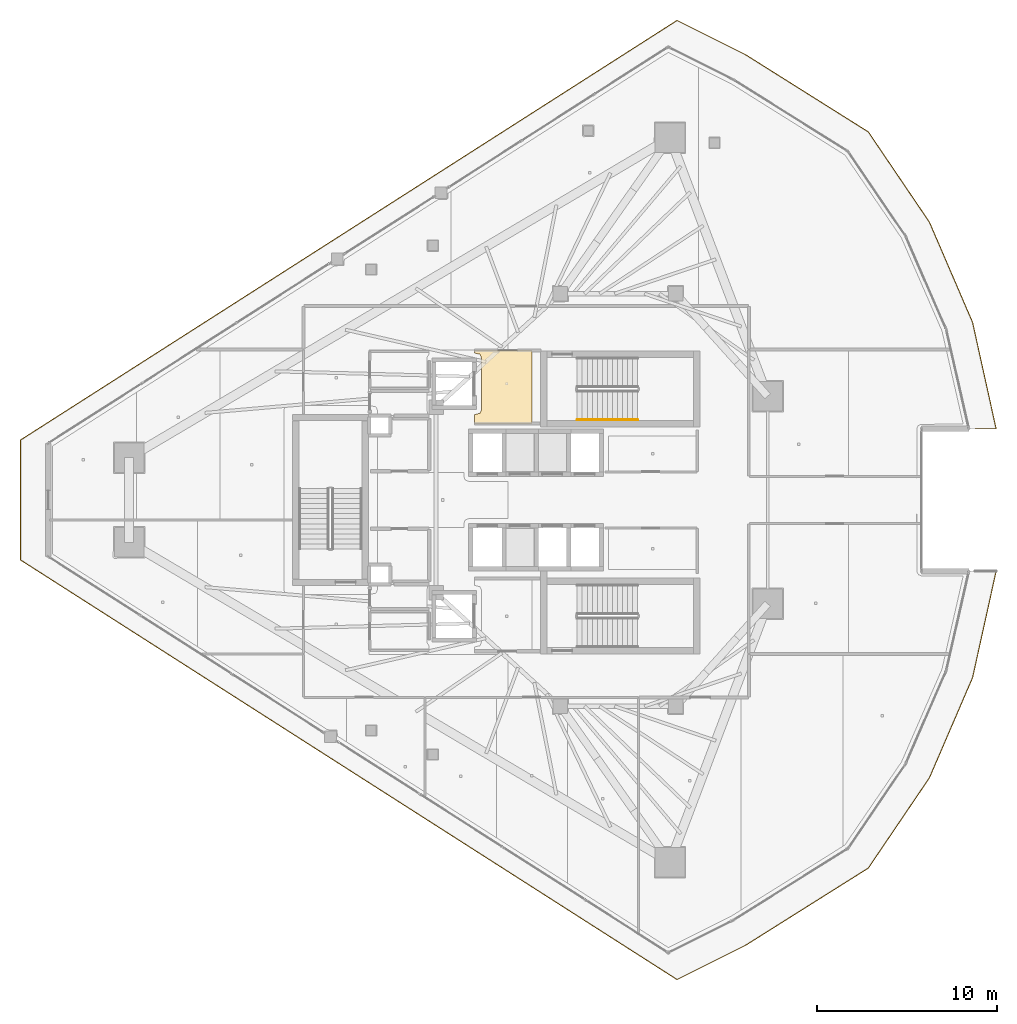
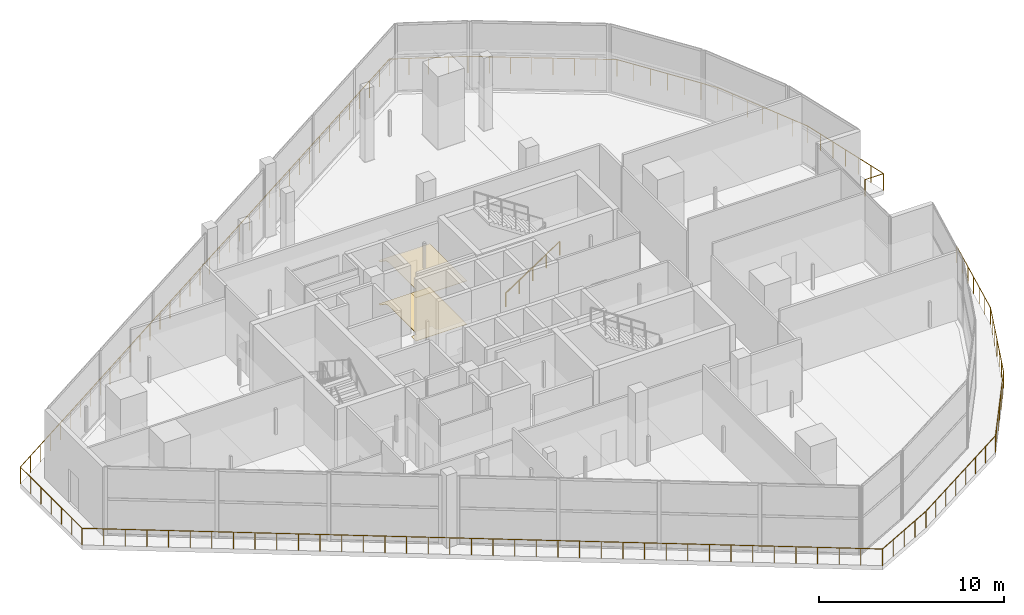
# One storey, part 33 of 36: 2 coverings, 2 railings.
"""IFC4 building model written with IfcOpenShell, lengths in metres."""

from ifc_helpers import new_model, si_unit, direction, frame, origin, origin_2d, place, context, subcontext, project, spatial, polyline, circle, outline, extrude, material, layer, layer_set, type_object, element, save


model = new_model("IFC4")

# Units and contexts
model_context = context("Model", 3, precision=1e-05, world=origin(), true_north=direction((0.0, 1.0)))
body_context = subcontext(model_context, "Body", "Model", "MODEL_VIEW")
ifc_project = project(units=[si_unit("LENGTHUNIT", "METRE"), si_unit("AREAUNIT", "SQUARE_METRE"), si_unit("VOLUMEUNIT", "CUBIC_METRE"), si_unit("PLANEANGLEUNIT", "RADIAN"), si_unit("MASSUNIT", "GRAM", prefix="KILO")], contexts=[model_context])

# Site, building, storey
site_placement = place(None, origin())
site = spatial("IfcSite", under=ifc_project, at=site_placement, CompositionType="ELEMENT")
building_placement = place(site_placement, origin())
building = spatial("IfcBuilding", under=site, at=building_placement, Name="Qorvath Tower", CompositionType="ELEMENT")
storey_placement = place(building_placement, frame((0.0, 0.0, 255.0)))
storey = spatial("IfcBuildingStorey", under=building, at=storey_placement, Name="L59", CompositionType="ELEMENT", Elevation=255.0)

# Coverings
ifc_material_1 = material(Name="Acoustic mineral fibre ceiling tile", Category="gypsum")
ifc_layer_1 = layer(ifc_material_1, 0.030029296875)
ifc_layer_set_1 = layer_set([ifc_layer_1], Name="COV-CEIL")
covering_type_1 = type_object("IfcCoveringType", Name="COV-CEIL", PredefinedType="CEILING", material=ifc_layer_set_1)
covering_1_placement = place(storey_placement, frame((0.0, 0.0, 2.85009765625)))
element("IfcCovering", 1, at=covering_1_placement, inside=storey, type_object=covering_type_1, Name="L59 Suspended Acoustic Ceiling 001", PredefinedType="CEILING", context=body_context, shape_type="SweptSolid", body=[
    extrude(outline(polyline([(-25.18994140625, 4.2548828125), (-25.18994140625, 8.294921875), (-28.375, 8.294921875), (-28.375, 8.159912109375), (-28.063232421875, 8.086669921875), (-27.989990234375, 7.909912109375), (-27.989990234375, 4.989990234375), (-28.063232421875, 4.813232421875), (-28.375, 4.739990234375), (-28.375, 4.2548828125), (-25.18994140625, 4.2548828125)])), origin(), (0.0, 0.0, 1.0), 0.030029296875),
])
ifc_material_2 = material(Name="Polished epoxy terrazzo flooring", Category="concrete")
ifc_layer_2 = layer(ifc_material_2, 0.02001953125)
ifc_layer_set_2 = layer_set([ifc_layer_2], Name="COV-FLOOR-TRZ")
covering_type_2 = type_object("IfcCoveringType", Name="COV-FLOOR-TRZ", PredefinedType="FLOORING", material=ifc_layer_set_2)
covering_2_placement = place(storey_placement, origin())
element("IfcCovering", 2, at=covering_2_placement, inside=storey, type_object=covering_type_2, Name="L59 Floor Finish 001", PredefinedType="FLOORING", context=body_context, shape_type="SweptSolid", body=[
    extrude(outline(polyline([(-25.18994140625, 4.2548828125), (-25.18994140625, 8.294921875), (-28.375, 8.294921875), (-28.375, 8.159912109375), (-28.063232421875, 8.086669921875), (-27.989990234375, 7.909912109375), (-27.989990234375, 4.989990234375), (-28.063232421875, 4.813232421875), (-28.375, 4.739990234375), (-28.375, 4.2548828125), (-25.18994140625, 4.2548828125)])), origin(), (0.0, 0.0, 1.0), 0.014892578125),
])

# Railings
ifc_material_3 = material(Name="Laminated safety glass and stainless steel AISI 316", Category="steel")
railing_type_1 = type_object("IfcRailingType", Name="RL-EXT-GRD", PredefinedType="GUARDRAIL", material=ifc_material_3)
railing_1_placement = place(storey_placement, frame((0.5869140625, -3.952880859375, 0.0)))
element("IfcRailing", 3, at=railing_1_placement, inside=storey, type_object=railing_type_1, Name="Loggia Perimeter Guardrail L59-1.1", PredefinedType="GUARDRAIL", context=body_context, shape_type="SweptSolid", body=[
    extrude(circle(Radius=0.02392578125, at=origin_2d()), frame((0.0, 0.0, 1.09619140625), z_axis=(-0.216110411611, -0.976368931293, 0.0), x_axis=(0.976368931293, -0.216110411611, 0.0)), (0.0, 0.0, 1.0), 6.052978515625),
    extrude(circle(Radius=0.02392578125, at=origin_2d()), frame((-1.30810546875, -5.909912109375, 1.09619140625), z_axis=(-0.395471582502, -0.918478212824, 0.0), x_axis=(0.918478212824, -0.395471582502, 0.0)), (0.0, 0.0, 1.0), 6.052978515625),
    extrude(circle(Radius=0.02392578125, at=origin_2d()), frame((-3.701904296875, -11.469482421875, 1.09619140625), z_axis=(-0.560837443222, -0.827925940094, 0.0), x_axis=(0.827925940094, -0.560837443222, 0.0)), (0.0, 0.0, 1.0), 6.052978515625),
    extrude(circle(Radius=0.02392578125, at=origin_2d()), frame((-7.0966796875, -16.48095703125, 1.09619140625), z_axis=(-0.846497130673, -0.53239328298, 0.0), x_axis=(0.53239328298, -0.846497130673, 0.0)), (0.0, 0.0, 1.0), 8.04931640625),
    extrude(circle(Radius=0.02392578125, at=origin_2d()), frame((-13.910400390625, -20.766357421875, 1.09619140625), z_axis=(-0.894438674799, -0.447190627164, 0.0), x_axis=(0.447190627164, -0.894438674799, 0.0)), (0.0, 0.0, 1.0), 4.251708984375),
    extrude(circle(Radius=0.02392578125, at=origin_2d()), frame((-17.71337890625, -22.667724609375, 1.09619140625), z_axis=(-0.842604196804, 0.538533348576, 0.0), x_axis=(-0.538533348576, -0.842604196804, 0.0)), (0.0, 0.0, 1.0), 43.252685546875),
    extrude(circle(Radius=0.02392578125, at=origin_2d()), frame((-54.158203125, 0.625244140625, 1.09619140625), z_axis=(0.0, 1.0, 0.0), x_axis=(-1.0, 0.0, 0.0)), (0.0, 0.0, 1.0), 6.6552734375),
    extrude(circle(Radius=0.02392578125, at=origin_2d()), frame((-54.158203125, 7.280517578125, 1.09619140625), z_axis=(0.842604196804, 0.538533348576, 0.0), x_axis=(-0.538533348576, 0.842604196804, 0.0)), (0.0, 0.0, 1.0), 43.252685546875),
    extrude(circle(Radius=0.02392578125, at=origin_2d()), frame((-17.71337890625, 30.573486328125, 1.09619140625), z_axis=(0.894438674799, -0.447190627164, 0.0), x_axis=(0.447190627164, 0.894438674799, 0.0)), (0.0, 0.0, 1.0), 4.251708984375),
    extrude(circle(Radius=0.02392578125, at=origin_2d()), frame((-13.910400390625, 28.672119140625, 1.09619140625), z_axis=(0.846497130673, -0.53239328298, 0.0), x_axis=(0.53239328298, 0.846497130673, 0.0)), (0.0, 0.0, 1.0), 8.04931640625),
    extrude(circle(Radius=0.02392578125, at=origin_2d()), frame((-7.0966796875, 24.38671875, 1.09619140625), z_axis=(0.560837443222, -0.827925940094, 0.0), x_axis=(0.827925940094, 0.560837443222, 0.0)), (0.0, 0.0, 1.0), 6.052978515625),
    extrude(circle(Radius=0.02392578125, at=origin_2d()), frame((-3.701904296875, 19.375244140625, 1.09619140625), z_axis=(0.395471582502, -0.918478212824, 0.0), x_axis=(0.918478212824, 0.395471582502, 0.0)), (0.0, 0.0, 1.0), 6.052978515625),
    extrude(circle(Radius=0.02392578125, at=origin_2d()), frame((-1.30810546875, 13.815673828125, 1.09619140625), z_axis=(0.216110411611, -0.976368931293, 0.0), x_axis=(0.976368931293, 0.216110411611, 0.0)), (0.0, 0.0, 1.0), 6.052978515625),
    extrude(circle(Radius=0.02392578125, at=origin_2d()), frame((0.0, 7.90576171875, 1.09619140625), z_axis=(-1.0, 0.0, 0.0), x_axis=(0.0, -1.0, 0.0)), (0.0, 0.0, 1.0), 1.158935546875),
    extrude(circle(Radius=0.02099609375, at=origin_2d()), origin(), (0.0, 0.0, 1.0), 1.072021484375),
    extrude(circle(Radius=0.02099609375, at=origin_2d()), frame((-0.218017578125, -0.98486328125, 0.0)), (0.0, 0.0, 1.0), 1.072021484375),
    extrude(circle(Radius=0.02099609375, at=origin_2d()), frame((-0.43603515625, -1.969970703125, 0.0)), (0.0, 0.0, 1.0), 1.072021484375),
    extrude(circle(Radius=0.02099609375, at=origin_2d()), frame((-0.654052734375, -2.955078125, 0.0)), (0.0, 0.0, 1.0), 1.072021484375),
    extrude(circle(Radius=0.02099609375, at=origin_2d()), frame((-0.8720703125, -3.93994140625, 0.0)), (0.0, 0.0, 1.0), 1.072021484375),
    extrude(circle(Radius=0.02099609375, at=origin_2d()), frame((-1.090087890625, -4.9248046875, 0.0)), (0.0, 0.0, 1.0), 1.072021484375),
    extrude(circle(Radius=0.02099609375, at=origin_2d()), frame((-1.30810546875, -5.909912109375, 0.0)), (0.0, 0.0, 1.0), 1.072021484375),
    extrude(circle(Radius=0.02099609375, at=origin_2d()), frame((-1.70703125, -6.83642578125, 0.0)), (0.0, 0.0, 1.0), 1.072021484375),
    extrude(circle(Radius=0.02099609375, at=origin_2d()), frame((-2.10595703125, -7.76318359375, 0.0)), (0.0, 0.0, 1.0), 1.072021484375),
    extrude(circle(Radius=0.02099609375, at=origin_2d()), frame((-2.5048828125, -8.689697265625, 0.0)), (0.0, 0.0, 1.0), 1.072021484375),
    extrude(circle(Radius=0.02099609375, at=origin_2d()), frame((-2.904052734375, -9.6162109375, 0.0)), (0.0, 0.0, 1.0), 1.072021484375),
    extrude(circle(Radius=0.02099609375, at=origin_2d()), frame((-3.302978515625, -10.54296875, 0.0)), (0.0, 0.0, 1.0), 1.072021484375),
    extrude(circle(Radius=0.02099609375, at=origin_2d()), frame((-3.701904296875, -11.469482421875, 0.0)), (0.0, 0.0, 1.0), 1.072021484375),
    extrude(circle(Radius=0.02099609375, at=origin_2d()), frame((-4.267578125, -12.3046875, 0.0)), (0.0, 0.0, 1.0), 1.072021484375),
    extrude(circle(Radius=0.02099609375, at=origin_2d()), frame((-4.83349609375, -13.139892578125, 0.0)), (0.0, 0.0, 1.0), 1.072021484375),
    extrude(circle(Radius=0.02099609375, at=origin_2d()), frame((-5.3994140625, -13.97509765625, 0.0)), (0.0, 0.0, 1.0), 1.072021484375),
    extrude(circle(Radius=0.02099609375, at=origin_2d()), frame((-5.965087890625, -14.810546875, 0.0)), (0.0, 0.0, 1.0), 1.072021484375),
    extrude(circle(Radius=0.02099609375, at=origin_2d()), frame((-6.53076171875, -15.645751953125, 0.0)), (0.0, 0.0, 1.0), 1.072021484375),
    extrude(circle(Radius=0.02099609375, at=origin_2d()), frame((-7.0966796875, -16.48095703125, 0.0)), (0.0, 0.0, 1.0), 1.072021484375),
    extrude(circle(Radius=0.02099609375, at=origin_2d()), frame((-8.070068359375, -17.09326171875, 0.0)), (0.0, 0.0, 1.0), 1.072021484375),
    extrude(circle(Radius=0.02099609375, at=origin_2d()), frame((-9.04345703125, -17.705322265625, 0.0)), (0.0, 0.0, 1.0), 1.072021484375),
    extrude(circle(Radius=0.02099609375, at=origin_2d()), frame((-10.016845703125, -18.317626953125, 0.0)), (0.0, 0.0, 1.0), 1.072021484375),
    extrude(circle(Radius=0.02099609375, at=origin_2d()), frame((-10.990234375, -18.9296875, 0.0)), (0.0, 0.0, 1.0), 1.072021484375),
    extrude(circle(Radius=0.02099609375, at=origin_2d()), frame((-11.963623046875, -19.5419921875, 0.0)), (0.0, 0.0, 1.0), 1.072021484375),
    extrude(circle(Radius=0.02099609375, at=origin_2d()), frame((-12.93701171875, -20.154052734375, 0.0)), (0.0, 0.0, 1.0), 1.072021484375),
    extrude(circle(Radius=0.02099609375, at=origin_2d()), frame((-13.910400390625, -20.766357421875, 0.0)), (0.0, 0.0, 1.0), 1.072021484375),
    extrude(circle(Radius=0.02099609375, at=origin_2d()), frame((-14.861083984375, -21.24169921875, 0.0)), (0.0, 0.0, 1.0), 1.072021484375),
    extrude(circle(Radius=0.02099609375, at=origin_2d()), frame((-15.81201171875, -21.717041015625, 0.0)), (0.0, 0.0, 1.0), 1.072021484375),
    extrude(circle(Radius=0.02099609375, at=origin_2d()), frame((-16.7626953125, -22.1923828125, 0.0)), (0.0, 0.0, 1.0), 1.072021484375),
    extrude(circle(Radius=0.02099609375, at=origin_2d()), frame((-17.71337890625, -22.667724609375, 0.0)), (0.0, 0.0, 1.0), 1.072021484375),
    extrude(circle(Radius=0.02099609375, at=origin_2d()), frame((-18.698486328125, -22.0380859375, 0.0)), (0.0, 0.0, 1.0), 1.072021484375),
    extrude(circle(Radius=0.02099609375, at=origin_2d()), frame((-19.683349609375, -21.40869140625, 0.0)), (0.0, 0.0, 1.0), 1.072021484375),
    extrude(circle(Radius=0.02099609375, at=origin_2d()), frame((-20.66845703125, -20.779052734375, 0.0)), (0.0, 0.0, 1.0), 1.072021484375),
    extrude(circle(Radius=0.02099609375, at=origin_2d()), frame((-21.6533203125, -20.149658203125, 0.0)), (0.0, 0.0, 1.0), 1.072021484375),
    extrude(circle(Radius=0.02099609375, at=origin_2d()), frame((-22.638427734375, -19.52001953125, 0.0)), (0.0, 0.0, 1.0), 1.072021484375),
    extrude(circle(Radius=0.02099609375, at=origin_2d()), frame((-23.623291015625, -18.890380859375, 0.0)), (0.0, 0.0, 1.0), 1.072021484375),
    extrude(circle(Radius=0.02099609375, at=origin_2d()), frame((-24.6083984375, -18.260986328125, 0.0)), (0.0, 0.0, 1.0), 1.072021484375),
    extrude(circle(Radius=0.02099609375, at=origin_2d()), frame((-25.59326171875, -17.63134765625, 0.0)), (0.0, 0.0, 1.0), 1.072021484375),
    extrude(circle(Radius=0.02099609375, at=origin_2d()), frame((-26.578369140625, -17.001953125, 0.0)), (0.0, 0.0, 1.0), 1.072021484375),
    extrude(circle(Radius=0.02099609375, at=origin_2d()), frame((-27.563232421875, -16.372314453125, 0.0)), (0.0, 0.0, 1.0), 1.072021484375),
    extrude(circle(Radius=0.02099609375, at=origin_2d()), frame((-28.54833984375, -15.74267578125, 0.0)), (0.0, 0.0, 1.0), 1.072021484375),
    extrude(circle(Radius=0.02099609375, at=origin_2d()), frame((-29.533203125, -15.11328125, 0.0)), (0.0, 0.0, 1.0), 1.072021484375),
    extrude(circle(Radius=0.02099609375, at=origin_2d()), frame((-30.518310546875, -14.483642578125, 0.0)), (0.0, 0.0, 1.0), 1.072021484375),
    extrude(circle(Radius=0.02099609375, at=origin_2d()), frame((-31.50341796875, -13.854248046875, 0.0)), (0.0, 0.0, 1.0), 1.072021484375),
    extrude(circle(Radius=0.02099609375, at=origin_2d()), frame((-32.48828125, -13.224609375, 0.0)), (0.0, 0.0, 1.0), 1.072021484375),
    extrude(circle(Radius=0.02099609375, at=origin_2d()), frame((-33.473388671875, -12.594970703125, 0.0)), (0.0, 0.0, 1.0), 1.072021484375),
    extrude(circle(Radius=0.02099609375, at=origin_2d()), frame((-34.458251953125, -11.965576171875, 0.0)), (0.0, 0.0, 1.0), 1.072021484375),
    extrude(circle(Radius=0.02099609375, at=origin_2d()), frame((-35.443359375, -11.3359375, 0.0)), (0.0, 0.0, 1.0), 1.072021484375),
    extrude(circle(Radius=0.02099609375, at=origin_2d()), frame((-36.42822265625, -10.70654296875, 0.0)), (0.0, 0.0, 1.0), 1.072021484375),
    extrude(circle(Radius=0.02099609375, at=origin_2d()), frame((-37.413330078125, -10.076904296875, 0.0)), (0.0, 0.0, 1.0), 1.072021484375),
    extrude(circle(Radius=0.02099609375, at=origin_2d()), frame((-38.398193359375, -9.447509765625, 0.0)), (0.0, 0.0, 1.0), 1.072021484375),
    extrude(circle(Radius=0.02099609375, at=origin_2d()), frame((-39.38330078125, -8.81787109375, 0.0)), (0.0, 0.0, 1.0), 1.072021484375),
    extrude(circle(Radius=0.02099609375, at=origin_2d()), frame((-40.3681640625, -8.188232421875, 0.0)), (0.0, 0.0, 1.0), 1.072021484375),
    extrude(circle(Radius=0.02099609375, at=origin_2d()), frame((-41.353271484375, -7.558837890625, 0.0)), (0.0, 0.0, 1.0), 1.072021484375),
    extrude(circle(Radius=0.02099609375, at=origin_2d()), frame((-42.33837890625, -6.92919921875, 0.0)), (0.0, 0.0, 1.0), 1.072021484375),
    extrude(circle(Radius=0.02099609375, at=origin_2d()), frame((-43.3232421875, -6.2998046875, 0.0)), (0.0, 0.0, 1.0), 1.072021484375),
    extrude(circle(Radius=0.02099609375, at=origin_2d()), frame((-44.308349609375, -5.670166015625, 0.0)), (0.0, 0.0, 1.0), 1.072021484375),
    extrude(circle(Radius=0.02099609375, at=origin_2d()), frame((-45.293212890625, -5.04052734375, 0.0)), (0.0, 0.0, 1.0), 1.072021484375),
    extrude(circle(Radius=0.02099609375, at=origin_2d()), frame((-46.2783203125, -4.4111328125, 0.0)), (0.0, 0.0, 1.0), 1.072021484375),
    extrude(circle(Radius=0.02099609375, at=origin_2d()), frame((-47.26318359375, -3.781494140625, 0.0)), (0.0, 0.0, 1.0), 1.072021484375),
    extrude(circle(Radius=0.02099609375, at=origin_2d()), frame((-48.248291015625, -3.152099609375, 0.0)), (0.0, 0.0, 1.0), 1.072021484375),
    extrude(circle(Radius=0.02099609375, at=origin_2d()), frame((-49.233154296875, -2.5224609375, 0.0)), (0.0, 0.0, 1.0), 1.072021484375),
    extrude(circle(Radius=0.02099609375, at=origin_2d()), frame((-50.21826171875, -1.892822265625, 0.0)), (0.0, 0.0, 1.0), 1.072021484375),
    extrude(circle(Radius=0.02099609375, at=origin_2d()), frame((-51.203125, -1.263427734375, 0.0)), (0.0, 0.0, 1.0), 1.072021484375),
    extrude(circle(Radius=0.02099609375, at=origin_2d()), frame((-52.188232421875, -0.6337890625, 0.0)), (0.0, 0.0, 1.0), 1.072021484375),
    extrude(circle(Radius=0.02099609375, at=origin_2d()), frame((-53.173095703125, -0.00439453125, 0.0)), (0.0, 0.0, 1.0), 1.072021484375),
    extrude(circle(Radius=0.02099609375, at=origin_2d()), frame((-54.158203125, 0.625244140625, 0.0)), (0.0, 0.0, 1.0), 1.072021484375),
    extrude(circle(Radius=0.02099609375, at=origin_2d()), frame((-54.158203125, 1.734375, 0.0)), (0.0, 0.0, 1.0), 1.072021484375),
    extrude(circle(Radius=0.02099609375, at=origin_2d()), frame((-54.158203125, 2.84375, 0.0)), (0.0, 0.0, 1.0), 1.072021484375),
    extrude(circle(Radius=0.02099609375, at=origin_2d()), frame((-54.158203125, 3.952880859375, 0.0)), (0.0, 0.0, 1.0), 1.072021484375),
    extrude(circle(Radius=0.02099609375, at=origin_2d()), frame((-54.158203125, 5.06201171875, 0.0)), (0.0, 0.0, 1.0), 1.072021484375),
    extrude(circle(Radius=0.02099609375, at=origin_2d()), frame((-54.158203125, 6.17138671875, 0.0)), (0.0, 0.0, 1.0), 1.072021484375),
    extrude(circle(Radius=0.02099609375, at=origin_2d()), frame((-54.158203125, 7.280517578125, 0.0)), (0.0, 0.0, 1.0), 1.072021484375),
    extrude(circle(Radius=0.02099609375, at=origin_2d()), frame((-53.173095703125, 7.91015625, 0.0)), (0.0, 0.0, 1.0), 1.072021484375),
    extrude(circle(Radius=0.02099609375, at=origin_2d()), frame((-52.188232421875, 8.53955078125, 0.0)), (0.0, 0.0, 1.0), 1.072021484375),
    extrude(circle(Radius=0.02099609375, at=origin_2d()), frame((-51.203125, 9.169189453125, 0.0)), (0.0, 0.0, 1.0), 1.072021484375),
    extrude(circle(Radius=0.02099609375, at=origin_2d()), frame((-50.21826171875, 9.798583984375, 0.0)), (0.0, 0.0, 1.0), 1.072021484375),
    extrude(circle(Radius=0.02099609375, at=origin_2d()), frame((-49.233154296875, 10.42822265625, 0.0)), (0.0, 0.0, 1.0), 1.072021484375),
    extrude(circle(Radius=0.02099609375, at=origin_2d()), frame((-48.248291015625, 11.057861328125, 0.0)), (0.0, 0.0, 1.0), 1.072021484375),
    extrude(circle(Radius=0.02099609375, at=origin_2d()), frame((-47.26318359375, 11.687255859375, 0.0)), (0.0, 0.0, 1.0), 1.072021484375),
    extrude(circle(Radius=0.02099609375, at=origin_2d()), frame((-46.2783203125, 12.31689453125, 0.0)), (0.0, 0.0, 1.0), 1.072021484375),
    extrude(circle(Radius=0.02099609375, at=origin_2d()), frame((-45.293212890625, 12.9462890625, 0.0)), (0.0, 0.0, 1.0), 1.072021484375),
    extrude(circle(Radius=0.02099609375, at=origin_2d()), frame((-44.308349609375, 13.575927734375, 0.0)), (0.0, 0.0, 1.0), 1.072021484375),
    extrude(circle(Radius=0.02099609375, at=origin_2d()), frame((-43.3232421875, 14.20556640625, 0.0)), (0.0, 0.0, 1.0), 1.072021484375),
    extrude(circle(Radius=0.02099609375, at=origin_2d()), frame((-42.33837890625, 14.8349609375, 0.0)), (0.0, 0.0, 1.0), 1.072021484375),
    extrude(circle(Radius=0.02099609375, at=origin_2d()), frame((-41.353271484375, 15.464599609375, 0.0)), (0.0, 0.0, 1.0), 1.072021484375),
    extrude(circle(Radius=0.02099609375, at=origin_2d()), frame((-40.3681640625, 16.093994140625, 0.0)), (0.0, 0.0, 1.0), 1.072021484375),
    extrude(circle(Radius=0.02099609375, at=origin_2d()), frame((-39.38330078125, 16.7236328125, 0.0)), (0.0, 0.0, 1.0), 1.072021484375),
    extrude(circle(Radius=0.02099609375, at=origin_2d()), frame((-38.398193359375, 17.353271484375, 0.0)), (0.0, 0.0, 1.0), 1.072021484375),
    extrude(circle(Radius=0.02099609375, at=origin_2d()), frame((-37.413330078125, 17.982666015625, 0.0)), (0.0, 0.0, 1.0), 1.072021484375),
    extrude(circle(Radius=0.02099609375, at=origin_2d()), frame((-36.42822265625, 18.6123046875, 0.0)), (0.0, 0.0, 1.0), 1.072021484375),
    extrude(circle(Radius=0.02099609375, at=origin_2d()), frame((-35.443359375, 19.24169921875, 0.0)), (0.0, 0.0, 1.0), 1.072021484375),
    extrude(circle(Radius=0.02099609375, at=origin_2d()), frame((-34.458251953125, 19.871337890625, 0.0)), (0.0, 0.0, 1.0), 1.072021484375),
    extrude(circle(Radius=0.02099609375, at=origin_2d()), frame((-33.473388671875, 20.500732421875, 0.0)), (0.0, 0.0, 1.0), 1.072021484375),
    extrude(circle(Radius=0.02099609375, at=origin_2d()), frame((-32.48828125, 21.13037109375, 0.0)), (0.0, 0.0, 1.0), 1.072021484375),
    extrude(circle(Radius=0.02099609375, at=origin_2d()), frame((-31.50341796875, 21.760009765625, 0.0)), (0.0, 0.0, 1.0), 1.072021484375),
    extrude(circle(Radius=0.02099609375, at=origin_2d()), frame((-30.518310546875, 22.389404296875, 0.0)), (0.0, 0.0, 1.0), 1.072021484375),
    extrude(circle(Radius=0.02099609375, at=origin_2d()), frame((-29.533203125, 23.01904296875, 0.0)), (0.0, 0.0, 1.0), 1.072021484375),
    extrude(circle(Radius=0.02099609375, at=origin_2d()), frame((-28.54833984375, 23.6484375, 0.0)), (0.0, 0.0, 1.0), 1.072021484375),
    extrude(circle(Radius=0.02099609375, at=origin_2d()), frame((-27.563232421875, 24.278076171875, 0.0)), (0.0, 0.0, 1.0), 1.072021484375),
    extrude(circle(Radius=0.02099609375, at=origin_2d()), frame((-26.578369140625, 24.90771484375, 0.0)), (0.0, 0.0, 1.0), 1.072021484375),
    extrude(circle(Radius=0.02099609375, at=origin_2d()), frame((-25.59326171875, 25.537109375, 0.0)), (0.0, 0.0, 1.0), 1.072021484375),
    extrude(circle(Radius=0.02099609375, at=origin_2d()), frame((-24.6083984375, 26.166748046875, 0.0)), (0.0, 0.0, 1.0), 1.072021484375),
    extrude(circle(Radius=0.02099609375, at=origin_2d()), frame((-23.623291015625, 26.796142578125, 0.0)), (0.0, 0.0, 1.0), 1.072021484375),
    extrude(circle(Radius=0.02099609375, at=origin_2d()), frame((-22.638427734375, 27.42578125, 0.0)), (0.0, 0.0, 1.0), 1.072021484375),
    extrude(circle(Radius=0.02099609375, at=origin_2d()), frame((-21.6533203125, 28.055419921875, 0.0)), (0.0, 0.0, 1.0), 1.072021484375),
    extrude(circle(Radius=0.02099609375, at=origin_2d()), frame((-20.66845703125, 28.684814453125, 0.0)), (0.0, 0.0, 1.0), 1.072021484375),
    extrude(circle(Radius=0.02099609375, at=origin_2d()), frame((-19.683349609375, 29.314453125, 0.0)), (0.0, 0.0, 1.0), 1.072021484375),
    extrude(circle(Radius=0.02099609375, at=origin_2d()), frame((-18.698486328125, 29.94384765625, 0.0)), (0.0, 0.0, 1.0), 1.072021484375),
    extrude(circle(Radius=0.02099609375, at=origin_2d()), frame((-17.71337890625, 30.573486328125, 0.0)), (0.0, 0.0, 1.0), 1.072021484375),
    extrude(circle(Radius=0.02099609375, at=origin_2d()), frame((-16.7626953125, 30.09814453125, 0.0)), (0.0, 0.0, 1.0), 1.072021484375),
    extrude(circle(Radius=0.02099609375, at=origin_2d()), frame((-15.81201171875, 29.622802734375, 0.0)), (0.0, 0.0, 1.0), 1.072021484375),
    extrude(circle(Radius=0.02099609375, at=origin_2d()), frame((-14.861083984375, 29.1474609375, 0.0)), (0.0, 0.0, 1.0), 1.072021484375),
    extrude(circle(Radius=0.02099609375, at=origin_2d()), frame((-13.910400390625, 28.672119140625, 0.0)), (0.0, 0.0, 1.0), 1.072021484375),
    extrude(circle(Radius=0.02099609375, at=origin_2d()), frame((-12.93701171875, 28.059814453125, 0.0)), (0.0, 0.0, 1.0), 1.072021484375),
    extrude(circle(Radius=0.02099609375, at=origin_2d()), frame((-11.963623046875, 27.44775390625, 0.0)), (0.0, 0.0, 1.0), 1.072021484375),
    extrude(circle(Radius=0.02099609375, at=origin_2d()), frame((-10.990234375, 26.83544921875, 0.0)), (0.0, 0.0, 1.0), 1.072021484375),
    extrude(circle(Radius=0.02099609375, at=origin_2d()), frame((-10.016845703125, 26.223388671875, 0.0)), (0.0, 0.0, 1.0), 1.072021484375),
    extrude(circle(Radius=0.02099609375, at=origin_2d()), frame((-9.04345703125, 25.611083984375, 0.0)), (0.0, 0.0, 1.0), 1.072021484375),
    extrude(circle(Radius=0.02099609375, at=origin_2d()), frame((-8.070068359375, 24.9990234375, 0.0)), (0.0, 0.0, 1.0), 1.072021484375),
    extrude(circle(Radius=0.02099609375, at=origin_2d()), frame((-7.0966796875, 24.38671875, 0.0)), (0.0, 0.0, 1.0), 1.072021484375),
    extrude(circle(Radius=0.02099609375, at=origin_2d()), frame((-6.53076171875, 23.551513671875, 0.0)), (0.0, 0.0, 1.0), 1.072021484375),
    extrude(circle(Radius=0.02099609375, at=origin_2d()), frame((-5.965087890625, 22.71630859375, 0.0)), (0.0, 0.0, 1.0), 1.072021484375),
    extrude(circle(Radius=0.02099609375, at=origin_2d()), frame((-5.3994140625, 21.880859375, 0.0)), (0.0, 0.0, 1.0), 1.072021484375),
    extrude(circle(Radius=0.02099609375, at=origin_2d()), frame((-4.83349609375, 21.045654296875, 0.0)), (0.0, 0.0, 1.0), 1.072021484375),
    extrude(circle(Radius=0.02099609375, at=origin_2d()), frame((-4.267578125, 20.21044921875, 0.0)), (0.0, 0.0, 1.0), 1.072021484375),
    extrude(circle(Radius=0.02099609375, at=origin_2d()), frame((-3.701904296875, 19.375244140625, 0.0)), (0.0, 0.0, 1.0), 1.072021484375),
    extrude(circle(Radius=0.02099609375, at=origin_2d()), frame((-3.302978515625, 18.44873046875, 0.0)), (0.0, 0.0, 1.0), 1.072021484375),
    extrude(circle(Radius=0.02099609375, at=origin_2d()), frame((-2.904052734375, 17.52197265625, 0.0)), (0.0, 0.0, 1.0), 1.072021484375),
    extrude(circle(Radius=0.02099609375, at=origin_2d()), frame((-2.5048828125, 16.595458984375, 0.0)), (0.0, 0.0, 1.0), 1.072021484375),
    extrude(circle(Radius=0.02099609375, at=origin_2d()), frame((-2.10595703125, 15.6689453125, 0.0)), (0.0, 0.0, 1.0), 1.072021484375),
    extrude(circle(Radius=0.02099609375, at=origin_2d()), frame((-1.70703125, 14.7421875, 0.0)), (0.0, 0.0, 1.0), 1.072021484375),
    extrude(circle(Radius=0.02099609375, at=origin_2d()), frame((-1.30810546875, 13.815673828125, 0.0)), (0.0, 0.0, 1.0), 1.072021484375),
    extrude(circle(Radius=0.02099609375, at=origin_2d()), frame((-1.090087890625, 12.83056640625, 0.0)), (0.0, 0.0, 1.0), 1.072021484375),
    extrude(circle(Radius=0.02099609375, at=origin_2d()), frame((-0.8720703125, 11.845703125, 0.0)), (0.0, 0.0, 1.0), 1.072021484375),
    extrude(circle(Radius=0.02099609375, at=origin_2d()), frame((-0.654052734375, 10.86083984375, 0.0)), (0.0, 0.0, 1.0), 1.072021484375),
    extrude(circle(Radius=0.02099609375, at=origin_2d()), frame((-0.43603515625, 9.875732421875, 0.0)), (0.0, 0.0, 1.0), 1.072021484375),
    extrude(circle(Radius=0.02099609375, at=origin_2d()), frame((-0.218017578125, 8.890625, 0.0)), (0.0, 0.0, 1.0), 1.072021484375),
    extrude(circle(Radius=0.02099609375, at=origin_2d()), frame((0.0, 7.90576171875, 0.0)), (0.0, 0.0, 1.0), 1.072021484375),
    extrude(circle(Radius=0.02099609375, at=origin_2d()), frame((-1.158935546875, 7.90576171875, 0.0)), (0.0, 0.0, 1.0), 1.072021484375),
])
ifc_material_4 = material(Name="Brushed stainless steel AISI 304", Category="steel")
railing_type_2 = type_object("IfcRailingType", Name="RL-STR-HND", PredefinedType="HANDRAIL", material=ifc_material_4)
railing_2_placement = place(storey_placement, frame((-22.669921875, 4.449951171875, 0.1845703125)))
element("IfcRailing", 4, at=railing_2_placement, inside=storey, type_object=railing_type_2, Name="L59 TS1 stair handrail 1", PredefinedType="HANDRAIL", context=body_context, shape_type="SweptSolid", body=[
    extrude(circle(Radius=0.02392578125, at=origin_2d()), frame((0.0, 0.0, 0.8759765625), z_axis=(0.834858096282, 0.0, 0.550465220583), x_axis=(0.0, 1.0, 0.0)), (0.0, 0.0, 1.0), 4.0244140625),
    extrude(circle(Radius=0.02099609375, at=origin_2d()), origin(), (0.0, 0.0, 1.0), 0.851806640625),
    extrude(circle(Radius=0.02099609375, at=origin_2d()), frame((0.83984375, 0.0, 0.5537109375)), (0.0, 0.0, 1.0), 0.851806640625),
    extrude(circle(Radius=0.02099609375, at=origin_2d()), frame((1.679931640625, 0.0, 1.107666015625)), (0.0, 0.0, 1.0), 0.851806640625),
    extrude(circle(Radius=0.02099609375, at=origin_2d()), frame((2.52001953125, 0.0, 1.66162109375)), (0.0, 0.0, 1.0), 0.851806640625),
    extrude(circle(Radius=0.02099609375, at=origin_2d()), frame((3.35986328125, 0.0, 2.21533203125)), (0.0, 0.0, 1.0), 0.851806640625),
])

save(model, "model.ifc")
